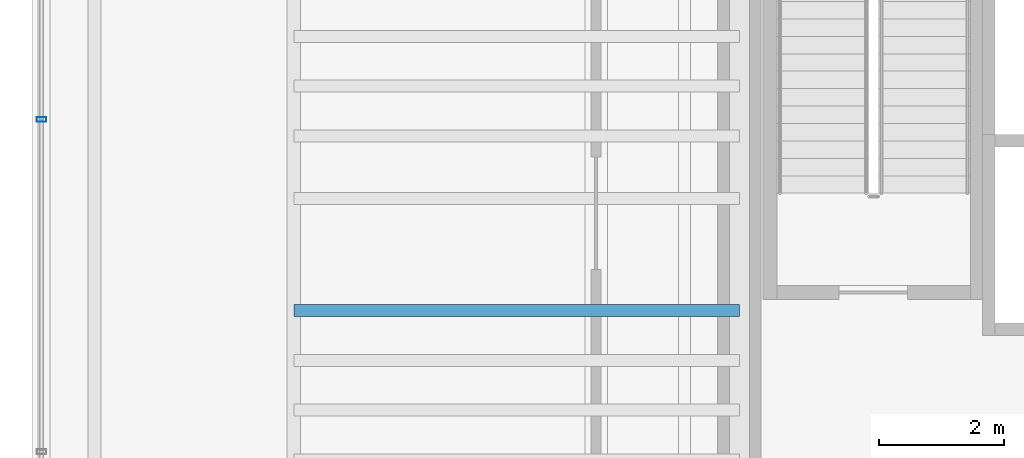
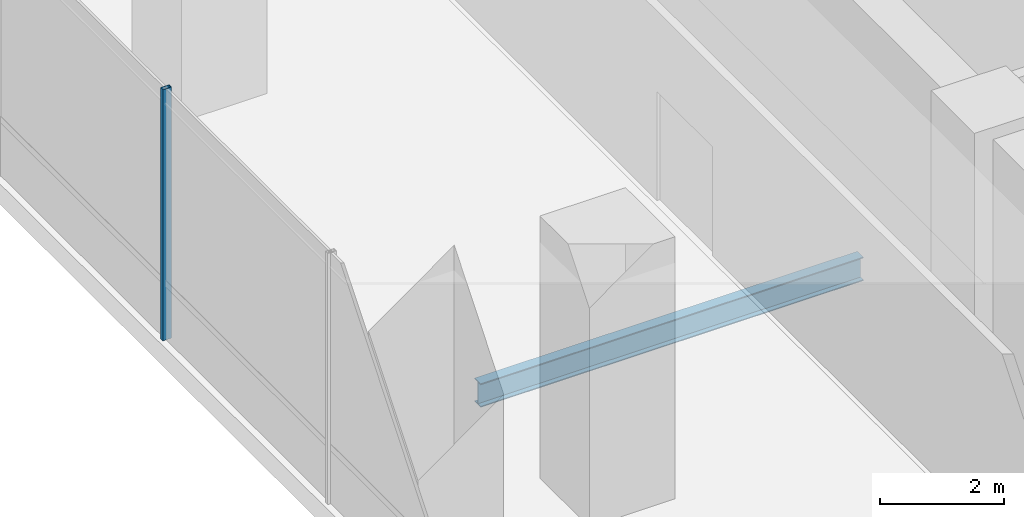
# One storey, part 6 of 41: 1 beam, 1 member, 1 element without a shape of its own.
"""IFC4 building model written with IfcOpenShell, lengths in metres."""

from ifc_helpers import new_model, si_unit, direction, frame, origin, origin_2d, place, context, subcontext, project, spatial, hollow_rectangle, i_section, extrude, source, transform, mapped, material, material_profile, profile_set, type_object, element, aggregate, save


model = new_model("IFC4")

# Units and contexts
model_context = context("Model", 3, precision=1e-05, world=origin(), true_north=direction((0.0, 1.0)))
body_context = subcontext(model_context, "Body", "Model", "MODEL_VIEW")
ifc_project = project(units=[si_unit("LENGTHUNIT", "METRE"), si_unit("AREAUNIT", "SQUARE_METRE"), si_unit("VOLUMEUNIT", "CUBIC_METRE"), si_unit("PLANEANGLEUNIT", "RADIAN"), si_unit("MASSUNIT", "GRAM", prefix="KILO")], contexts=[model_context])

# Site, building, storey
site_placement = place(None, origin())
site = spatial("IfcSite", under=ifc_project, at=site_placement, CompositionType="ELEMENT")
building_placement = place(site_placement, origin())
building = spatial("IfcBuilding", under=site, at=building_placement, Name="Valdorenza Pilgrim Sanctuary Tower", CompositionType="ELEMENT")
storey_placement = place(building_placement, frame((0.0, 0.0, 20.800048828125)))
storey = spatial("IfcBuildingStorey", under=building, at=storey_placement, Name="L04", CompositionType="ELEMENT", Elevation=20.800048828125)

# Beam
ifc_material_1 = material(Name="Steel ASTM A992 Grade 50", Category="steel")
ifc_material_profile_1 = material_profile(ifc_material_1, i_section(OverallWidth=0.193115234375, OverallDepth=0.466064453125, WebThickness=0.011474609375, FlangeThickness=0.01904296875, at=origin_2d()), Name="W18X65")
ifc_profile_set_1 = profile_set([ifc_material_profile_1], Name="Steel ASTM A992 Grade 50")
beam_type = type_object("IfcBeamType", Name="STR-BM-JST-W18A", PredefinedType="JOIST", material=ifc_profile_set_1)
shared_shape_1 = source(origin(), body_context, "Body", "SweptSolid", [
    extrude(i_section(OverallWidth=0.193115234375, OverallDepth=0.466064453125, WebThickness=0.011474609375, FlangeThickness=0.01904296875, at=origin_2d()), origin(), (0.0, 0.0, 1.0), 7.150146484375),
])
beam_placement = place(storey_placement, frame((-29.800048828125, 1.60009765625, -0.633056640625), z_axis=(1.0, 0.0, 0.0), x_axis=(0.0, 1.0, 0.0)))
element("IfcBeam", 1, at=beam_placement, inside=storey, type_object=beam_type, Name="L04 Composite Floor Joist JST-WA-14", PredefinedType="JOIST", context=body_context, shape_type="MappedRepresentation", body=[
    mapped(shared_shape_1, transform((0.0, 0.0, 0.0), x_axis=(1.0, 0.0, 0.0), y_axis=(0.0, 1.0, 0.0), z_axis=(0.0, 0.0, 1.0), scale=1.0)),
])

# Curtain wall, member
ifc_material_2 = material(Name="Curtain-wall IGU glazing", Category="glass")
curtain_wall_type = type_object("IfcCurtainWallType", Name="CW-SYS-01", PredefinedType="NOTDEFINED", material=ifc_material_2)
curtain_wall_placement = place(storey_placement, origin())
curtain_wall = element("IfcCurtainWall", 2, at=curtain_wall_placement, inside=storey, type_object=curtain_wall_type, Name="L04 Curtain Wall CW-POD-L04-WW", PredefinedType="NOTDEFINED")
ifc_material_3 = material(Name="Anodised aluminium AW-6060", Category="aluminium")
ifc_material_profile_2 = material_profile(ifc_material_3, hollow_rectangle(XDim=0.074951171875, YDim=0.159912109375, WallThickness=0.00390625, at=origin_2d()), Name="ALU-M 160x75x4")
ifc_profile_set_2 = profile_set([ifc_material_profile_2], Name="Anodised aluminium AW-6060")
member_type = type_object("IfcMemberType", Name="CW-MUL-01", PredefinedType="MULLION", material=ifc_profile_set_2)
shared_shape_2 = source(origin(), body_context, "Body", "SweptSolid", [
    extrude(hollow_rectangle(XDim=0.074951171875, YDim=0.159912109375, WallThickness=0.00390625, at=origin_2d()), origin(), (0.0, 0.0, 1.0), 4.9599609375),
])
member_placement = place(storey_placement, frame((-33.85009765625, 4.666748046875, 0.0), z_axis=(0.0, 0.0, 1.0), x_axis=(0.0, 1.0, 0.0)))
member = element("IfcMember", 3, at=member_placement, type_object=member_type, Name="CW-POD-L04-WW Mullion 3", PredefinedType="MULLION", context=body_context, shape_type="MappedRepresentation", body=[
    mapped(shared_shape_2, transform((0.0, 0.0, 0.0), x_axis=(1.0, 0.0, 0.0), y_axis=(0.0, 1.0, 0.0), z_axis=(0.0, 0.0, 1.0), scale=1.0)),
])
aggregate(curtain_wall, [member])

save(model, "model.ifc")
